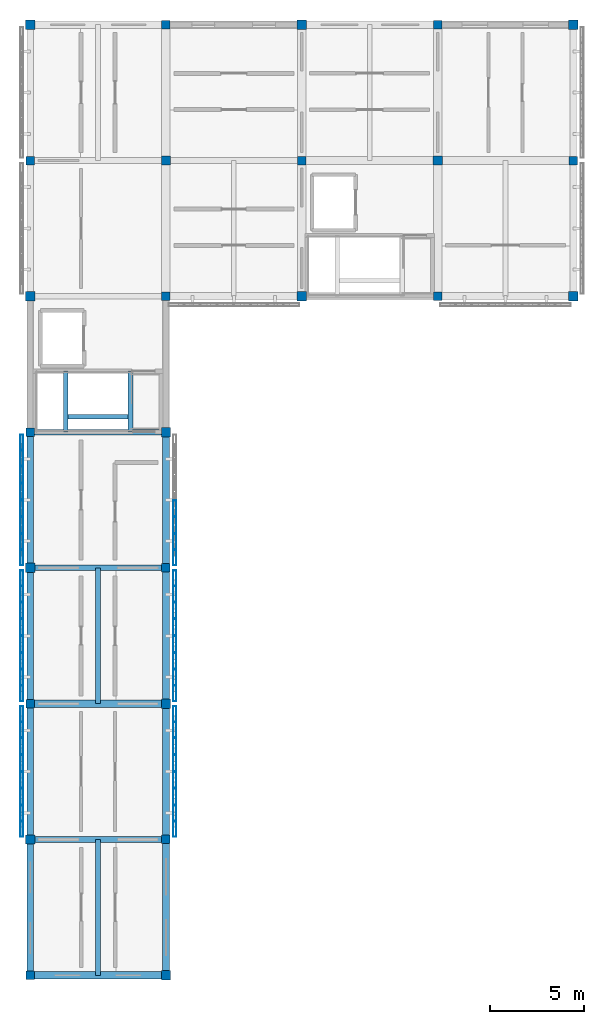
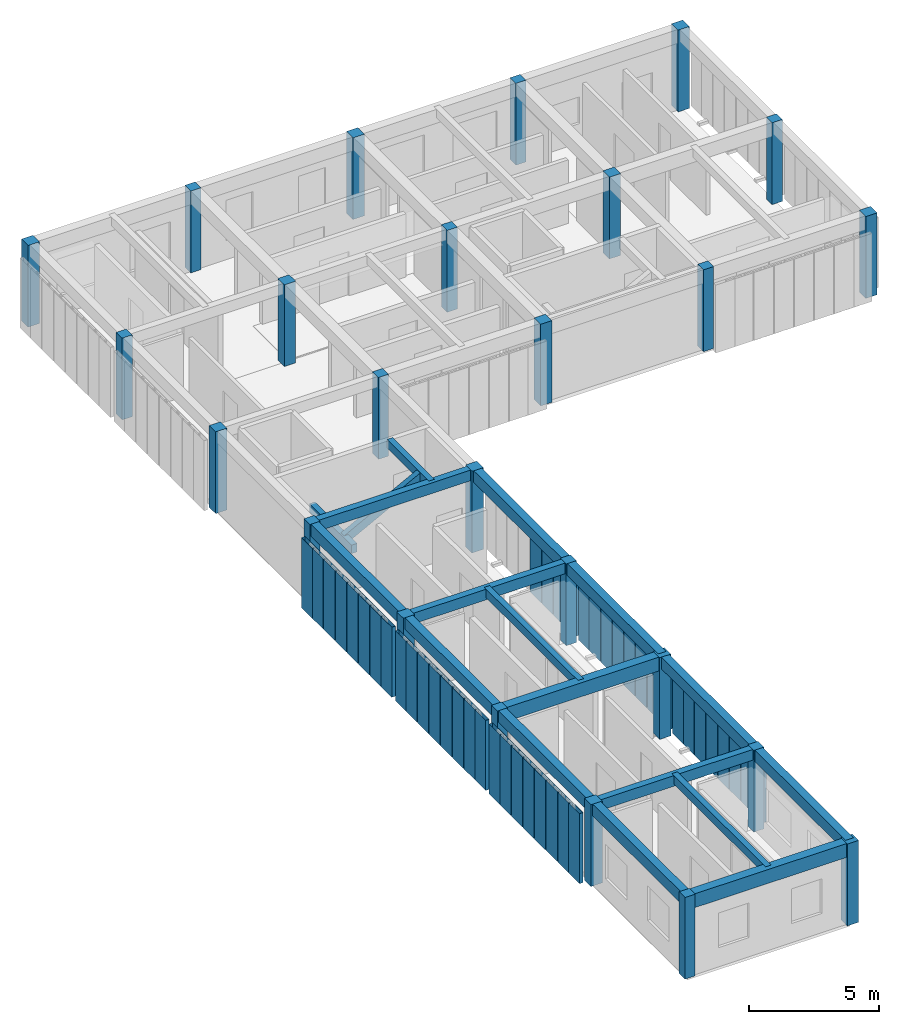
# One storey, part 1 of 14: 44 members, 25 columns, 18 beams, 6 elements without a shape of their own.
"""IFC4 building model written with IfcOpenShell, lengths in metres."""

from ifc_helpers import new_model, si_unit, direction, frame, origin, origin_2d, place, context, subcontext, project, spatial, rectangle, hollow_rectangle, extrude, material, material_profile, profile_set, type_object, element, aggregate, save


model = new_model("IFC4")

# Units and contexts
model_context = context("Model", 3, precision=1e-05, world=origin(), true_north=direction((0.0, 1.0)))
body_context = subcontext(model_context, "Body", "Model", "MODEL_VIEW")
ifc_project = project(units=[si_unit("LENGTHUNIT", "METRE"), si_unit("AREAUNIT", "SQUARE_METRE"), si_unit("VOLUMEUNIT", "CUBIC_METRE"), si_unit("PLANEANGLEUNIT", "RADIAN"), si_unit("MASSUNIT", "GRAM", prefix="KILO")], contexts=[model_context])

# Site, building, storey
site_placement = place(None, origin())
site = spatial("IfcSite", under=ifc_project, at=site_placement, CompositionType="ELEMENT")
building_placement = place(site_placement, origin())
building = spatial("IfcBuilding", under=site, at=building_placement, Name="Aldebral Square Health Centre", CompositionType="ELEMENT")
storey_placement = place(building_placement, frame((0.0, 0.0, 21.60009765625)))
storey = spatial("IfcBuildingStorey", under=building, at=storey_placement, Name="L05", CompositionType="ELEMENT", Elevation=21.60009765625)

# Columns
ifc_material_1 = material(Name="Concrete C40/50", Category="concrete")
ifc_material_profile_1 = material_profile(ifc_material_1, rectangle(XDim=0.5, YDim=0.5, at=origin_2d()), Name="RC 500x500")
ifc_profile_set_1 = profile_set([ifc_material_profile_1], Name="Concrete C40/50")
column_type_1 = type_object("IfcColumnType", Name="COL-C5", PredefinedType="COLUMN", material=ifc_profile_set_1)
for number, where, z_axis, x_axis, name in (
    (1, (0.0, 72.0, 0.0), (0.0, 0.0, 1.0), (1.0, 0.0, 0.0), "L05 column 1/11"),
    (2, (0.0, 86.39990234375, 0.0), (0.0, 0.0, 1.0), (1.0, 0.0, 0.0), "L05 column 1/13"),
    (3, (0.0, 100.800048828125, 0.0), (0.0, 0.0, 1.0), (1.0, 0.0, 0.0), "L05 column 1/15"),
    (4, (0.0, 115.199951171875, 0.0), (0.0, 0.0, 1.0), (1.0, 0.0, 0.0), "L05 column 1/17"),
    (5, (7.199951171875, 64.800048828125, 0.0), (0.0, 0.0, 1.0), (1.0, 0.0, 0.0), "L05 column 2/10"),
    (6, (7.199951171875, 79.199951171875, 0.0), (0.0, 0.0, 1.0), (1.0, 0.0, 0.0), "L05 column 2/12"),
    (7, (7.199951171875, 93.60009765625, 0.0), (0.0, 0.0, 1.0), (1.0, 0.0, 0.0), "L05 column 2/14"),
    (8, (7.199951171875, 108.0, 0.0), (0.0, 0.0, 1.0), (1.0, 0.0, 0.0), "L05 column 2/16"),
    (9, (14.39990234375, 100.800048828125, 0.0), (0.0, 0.0, 1.0), (1.0, 0.0, 0.0), "L05 column 3/15"),
    (10, (14.39990234375, 115.199951171875, 0.0), (0.0, 0.0, 1.0), (1.0, 0.0, 0.0), "L05 column 3/17"),
    (11, (21.60009765625, 108.0, 0.0), (0.0, 0.0, 1.0), (1.0, 0.0, 0.0), "L05 column 4/16"),
    (12, (28.800048828125, 100.800048828125, 0.0), (0.0, 0.0, 1.0), (1.0, 0.0, 0.0), "L05 column 5/15"),
    (13, (28.800048828125, 115.199951171875, 0.0), (0.0, 0.0, 1.0), (1.0, 0.0, 0.0), "L05 column 5/17"),
):
    element("IfcColumn", number, at=place(storey_placement, frame(where, z_axis=z_axis, x_axis=x_axis)), inside=storey, type_object=column_type_1, Name=name, PredefinedType="COLUMN", context=body_context, shape_type="SweptSolid", body=[
        extrude(rectangle(XDim=0.5, YDim=0.5, at=origin_2d()), origin(), (0.0, 0.0, 1.0), 3.829833984375),
    ])
ifc_material_profile_2 = material_profile(ifc_material_1, rectangle(XDim=0.449951171875, YDim=0.449951171875, at=origin_2d()), Name="RC 450x450")
ifc_profile_set_2 = profile_set([ifc_material_profile_2], Name="Concrete C40/50")
column_type_2 = type_object("IfcColumnType", Name="COL-C6", PredefinedType="COLUMN", material=ifc_profile_set_2)
for number, where, z_axis, x_axis, name in (
    (14, (0.0, 64.800048828125, 0.0), (0.0, 0.0, 1.0), (1.0, 0.0, 0.0), "L05 column 1/10"),
    (15, (0.0, 79.199951171875, 0.0), (0.0, 0.0, 1.0), (1.0, 0.0, 0.0), "L05 column 1/12"),
    (16, (0.0, 93.60009765625, 0.0), (0.0, 0.0, 1.0), (1.0, 0.0, 0.0), "L05 column 1/14"),
    (17, (0.0, 108.0, 0.0), (0.0, 0.0, 1.0), (1.0, 0.0, 0.0), "L05 column 1/16"),
    (18, (7.199951171875, 72.0, 0.0), (0.0, 0.0, 1.0), (1.0, 0.0, 0.0), "L05 column 2/11"),
    (19, (7.199951171875, 86.39990234375, 0.0), (0.0, 0.0, 1.0), (1.0, 0.0, 0.0), "L05 column 2/13"),
    (20, (7.199951171875, 100.800048828125, 0.0), (0.0, 0.0, 1.0), (1.0, 0.0, 0.0), "L05 column 2/15"),
    (21, (7.199951171875, 115.199951171875, 0.0), (0.0, 0.0, 1.0), (1.0, 0.0, 0.0), "L05 column 2/17"),
    (22, (14.39990234375, 108.0, 0.0), (0.0, 0.0, 1.0), (1.0, 0.0, 0.0), "L05 column 3/16"),
    (23, (21.60009765625, 100.800048828125, 0.0), (0.0, 0.0, 1.0), (1.0, 0.0, 0.0), "L05 column 4/15"),
    (24, (21.60009765625, 115.199951171875, 0.0), (0.0, 0.0, 1.0), (1.0, 0.0, 0.0), "L05 column 4/17"),
    (25, (28.800048828125, 108.0, 0.0), (0.0, 0.0, 1.0), (1.0, 0.0, 0.0), "L05 column 5/16"),
):
    element("IfcColumn", number, at=place(storey_placement, frame(where, z_axis=z_axis, x_axis=x_axis)), inside=storey, type_object=column_type_2, Name=name, PredefinedType="COLUMN", context=body_context, shape_type="SweptSolid", body=[
        extrude(rectangle(XDim=0.449951171875, YDim=0.449951171875, at=origin_2d()), origin(), (0.0, 0.0, 1.0), 3.829833984375),
    ])

# Beams
ifc_material_profile_3 = material_profile(ifc_material_1, rectangle(XDim=0.39990234375, YDim=0.64990234375, at=origin_2d()), Name="RC 400x650")
ifc_profile_set_3 = profile_set([ifc_material_profile_3], Name="Concrete C40/50")
beam_type_1 = type_object("IfcBeamType", Name="BM-B1", PredefinedType="BEAM", material=ifc_profile_set_3)
for number, where, z_axis, x_axis, name in (
    (26, (0.0, 64.800048828125, 3.5048828125), (1.0, 0.0, 0.0), (0.0, 1.0, 0.0), "L05 X-beam 1-2/G10"),
    (27, (0.0, 79.199951171875, 3.5048828125), (1.0, 0.0, 0.0), (0.0, 1.0, 0.0), "L05 X-beam 1-2/G12"),
):
    element("IfcBeam", number, at=place(storey_placement, frame(where, z_axis=z_axis, x_axis=x_axis)), inside=storey, type_object=beam_type_1, Name=name, PredefinedType="BEAM", context=body_context, shape_type="SweptSolid", body=[
        extrude(rectangle(XDim=0.39990234375, YDim=0.64990234375, at=origin_2d()), origin(), (0.0, 0.0, 1.0), 7.199951171875),
    ])
ifc_material_profile_4 = material_profile(ifc_material_1, rectangle(XDim=0.35009765625, YDim=0.550048828125, at=origin_2d()), Name="RC 350x550")
ifc_profile_set_4 = profile_set([ifc_material_profile_4], Name="Concrete C40/50")
beam_type_2 = type_object("IfcBeamType", Name="BM-B3", PredefinedType="BEAM", material=ifc_profile_set_4)
for number, where, z_axis, x_axis, name in (
    (28, (0.0, 64.800048828125, 3.554931640625), (0.0, 1.0, 0.0), (-1.0, 0.0, 0.0), "L05 Y-beam G1/10-11"),
    (29, (0.0, 72.0, 3.554931640625), (0.0, 1.0, 0.0), (-1.0, 0.0, 0.0), "L05 Y-beam G1/11-12"),
    (30, (0.0, 79.199951171875, 3.554931640625), (0.0, 1.0, 0.0), (-1.0, 0.0, 0.0), "L05 Y-beam G1/12-13"),
):
    element("IfcBeam", number, at=place(storey_placement, frame(where, z_axis=z_axis, x_axis=x_axis)), inside=storey, type_object=beam_type_2, Name=name, PredefinedType="BEAM", context=body_context, shape_type="SweptSolid", body=[
        extrude(rectangle(XDim=0.35009765625, YDim=0.550048828125, at=origin_2d()), origin(), (0.0, 0.0, 1.0), 7.199951171875),
    ])
beam_1_placement = place(storey_placement, frame((0.0, 86.39990234375, 3.554931640625), z_axis=(0.0, 1.0, 0.0), x_axis=(-1.0, 0.0, 0.0)))
element("IfcBeam", 31, at=beam_1_placement, inside=storey, type_object=beam_type_2, Name="L05 Y-beam G1/13-14", PredefinedType="BEAM", context=body_context, shape_type="SweptSolid", body=[
    extrude(rectangle(XDim=0.35009765625, YDim=0.550048828125, at=origin_2d()), origin(), (0.0, 0.0, 1.0), 7.2001953125),
])
for number, where, z_axis, x_axis, name in (
    (32, (7.199951171875, 64.800048828125, 3.554931640625), (0.0, 1.0, 0.0), (-1.0, 0.0, 0.0), "L05 Y-beam G2/10-11"),
    (33, (7.199951171875, 72.0, 3.554931640625), (0.0, 1.0, 0.0), (-1.0, 0.0, 0.0), "L05 Y-beam G2/11-12"),
    (34, (7.199951171875, 79.199951171875, 3.554931640625), (0.0, 1.0, 0.0), (-1.0, 0.0, 0.0), "L05 Y-beam G2/12-13"),
):
    element("IfcBeam", number, at=place(storey_placement, frame(where, z_axis=z_axis, x_axis=x_axis)), inside=storey, type_object=beam_type_2, Name=name, PredefinedType="BEAM", context=body_context, shape_type="SweptSolid", body=[
        extrude(rectangle(XDim=0.35009765625, YDim=0.550048828125, at=origin_2d()), origin(), (0.0, 0.0, 1.0), 7.199951171875),
    ])
beam_2_placement = place(storey_placement, frame((7.199951171875, 86.39990234375, 3.554931640625), z_axis=(0.0, 1.0, 0.0), x_axis=(-1.0, 0.0, 0.0)))
element("IfcBeam", 35, at=beam_2_placement, inside=storey, type_object=beam_type_2, Name="L05 Y-beam G2/13-14", PredefinedType="BEAM", context=body_context, shape_type="SweptSolid", body=[
    extrude(rectangle(XDim=0.35009765625, YDim=0.550048828125, at=origin_2d()), origin(), (0.0, 0.0, 1.0), 7.2001953125),
])
ifc_material_profile_5 = material_profile(ifc_material_1, rectangle(XDim=0.300048828125, YDim=0.5, at=origin_2d()), Name="RC 300x500")
ifc_profile_set_5 = profile_set([ifc_material_profile_5], Name="Concrete C40/50")
beam_type_3 = type_object("IfcBeamType", Name="BM-B4", PredefinedType="BEAM", material=ifc_profile_set_5)
for number, where, z_axis, x_axis, name in (
    (36, (0.0, 72.0, 3.579833984375), (1.0, 0.0, 0.0), (0.0, 1.0, 0.0), "L05 X-beam 1-2/G11"),
    (37, (0.0, 86.39990234375, 3.579833984375), (1.0, 0.0, 0.0), (0.0, 1.0, 0.0), "L05 X-beam 1-2/G13"),
    (38, (0.0, 93.60009765625, 3.579833984375), (1.0, 0.0, 0.0), (0.0, 1.0, 0.0), "L05 X-beam 1-2/G14"),
):
    element("IfcBeam", number, at=place(storey_placement, frame(where, z_axis=z_axis, x_axis=x_axis)), inside=storey, type_object=beam_type_3, Name=name, PredefinedType="BEAM", context=body_context, shape_type="SweptSolid", body=[
        extrude(rectangle(XDim=0.300048828125, YDim=0.5, at=origin_2d()), origin(), (0.0, 0.0, 1.0), 7.199951171875),
    ])
ifc_material_profile_6 = material_profile(ifc_material_1, rectangle(XDim=0.25, YDim=0.39990234375, at=origin_2d()), Name="RC 250x400")
ifc_profile_set_6 = profile_set([ifc_material_profile_6], Name="Concrete C40/50")
beam_type_4 = type_object("IfcBeamType", Name="BM-B6", PredefinedType="JOIST", material=ifc_profile_set_6)
for number, where, z_axis, x_axis, name in (
    (39, (3.60009765625, 64.800048828125, 3.6298828125), (0.0, 1.0, 0.0), (-1.0, 0.0, 0.0), "L05 secondary rib 1.10"),
    (40, (3.60009765625, 79.199951171875, 3.6298828125), (0.0, 1.0, 0.0), (-1.0, 0.0, 0.0), "L05 secondary rib 1.12"),
):
    element("IfcBeam", number, at=place(storey_placement, frame(where, z_axis=z_axis, x_axis=x_axis)), inside=storey, type_object=beam_type_4, Name=name, PredefinedType="JOIST", context=body_context, shape_type="SweptSolid", body=[
        extrude(rectangle(XDim=0.25, YDim=0.39990234375, at=origin_2d()), origin(), (0.0, 0.0, 1.0), 7.199951171875),
    ])
for number, where, z_axis, x_axis, name in (
    (41, (1.8798828125, 93.610107421875, 1.824951171875), (0.0, 1.0, 0.0), (-1.0, 0.0, 0.0), "L05 WC-C1 half-landing beam"),
    (42, (5.320068359375, 93.610107421875, 3.6298828125), (0.0, 1.0, 0.0), (-1.0, 0.0, 0.0), "L05 WC-C1 upper landing beam"),
):
    element("IfcBeam", number, at=place(storey_placement, frame(where, z_axis=z_axis, x_axis=x_axis)), inside=storey, type_object=beam_type_4, Name=name, PredefinedType="JOIST", context=body_context, shape_type="SweptSolid", body=[
        extrude(rectangle(XDim=0.25, YDim=0.39990234375, at=origin_2d()), origin(), (0.0, 0.0, 1.0), 3.219970703125),
    ])
beam_3_placement = place(storey_placement, frame((1.8798828125, 94.419921875, 1.824951171875), z_axis=(0.885521371569, 0.0, 0.464598644525), x_axis=(0.0, 1.0, 0.0)))
element("IfcBeam", 43, at=beam_3_placement, inside=storey, type_object=beam_type_4, Name="L05 WC-C1 flight stringer beam", PredefinedType="JOIST", context=body_context, shape_type="SweptSolid", body=[
    extrude(rectangle(XDim=0.25, YDim=0.39990234375, at=origin_2d()), origin(), (0.0, 0.0, 1.0), 3.885009765625),
])

# Curtain wall, members
ifc_material_2 = material(Name="Aluminium and low-E solar glass", Category="aluminium")
curtain_wall_type = type_object("IfcCurtainWallType", Name="CW-FIN-SYS", PredefinedType="USERDEFINED", material=ifc_material_2)
curtain_wall_1_placement = place(storey_placement, origin())
curtain_wall_1 = element("IfcCurtainWall", 44, at=curtain_wall_1_placement, inside=storey, type_object=curtain_wall_type, Name="L05 V4 finned curtain wall L05-V4-00-10-W", ObjectType="SOLAR_CURTAIN_WALL", PredefinedType="USERDEFINED")
ifc_material_3 = material(Name="Sienna-terracotta clad aluminium fin", Category="masonry")
ifc_material_profile_7 = material_profile(ifc_material_3, hollow_rectangle(XDim=0.159912109375, YDim=0.85009765625, WallThickness=0.006103515625, at=origin_2d()), Name="FIN 160x850x6")
ifc_profile_set_7 = profile_set([ifc_material_profile_7], Name="Sienna-terracotta clad aluminium fin")
member_type = type_object("IfcMemberType", Name="CWM-FIN", PredefinedType="MULLION", material=ifc_profile_set_7)
member_1_placement = place(storey_placement, frame((-0.4599609375, 78.639892578125, 0.0), z_axis=(0.0, 0.0, 1.0), x_axis=(1.0, 0.0, 0.0)))
member_1 = element("IfcMember", 45, at=member_1_placement, type_object=member_type, Name="CW1 mullion 1", PredefinedType="MULLION", context=body_context, shape_type="SweptSolid", body=[
    extrude(hollow_rectangle(XDim=0.159912109375, YDim=0.85009765625, WallThickness=0.006103515625, at=origin_2d()), origin(), (0.0, 0.0, 1.0), 3.27978515625),
])
member_2_placement = place(storey_placement, frame((-0.4599609375, 77.82861328125, 0.0), z_axis=(0.0, 0.0, 1.0), x_axis=(1.0, 0.0, 0.0)))
member_2 = element("IfcMember", 46, at=member_2_placement, type_object=member_type, Name="CW1 mullion 2", PredefinedType="MULLION", context=body_context, shape_type="SweptSolid", body=[
    extrude(hollow_rectangle(XDim=0.159912109375, YDim=0.85009765625, WallThickness=0.006103515625, at=origin_2d()), origin(), (0.0, 0.0, 1.0), 3.27978515625),
])
member_3_placement = place(storey_placement, frame((-0.4599609375, 76.937255859375, 0.0), z_axis=(0.0, 0.0, 1.0), x_axis=(1.0, 0.0, 0.0)))
member_3 = element("IfcMember", 47, at=member_3_placement, type_object=member_type, Name="CW1 mullion 3", PredefinedType="MULLION", context=body_context, shape_type="SweptSolid", body=[
    extrude(hollow_rectangle(XDim=0.159912109375, YDim=0.85009765625, WallThickness=0.006103515625, at=origin_2d()), origin(), (0.0, 0.0, 1.0), 3.27978515625),
])
member_4_placement = place(storey_placement, frame((-0.4599609375, 76.045654296875, 0.0), z_axis=(0.0, 0.0, 1.0), x_axis=(1.0, 0.0, 0.0)))
member_4 = element("IfcMember", 48, at=member_4_placement, type_object=member_type, Name="CW1 mullion 4", PredefinedType="MULLION", context=body_context, shape_type="SweptSolid", body=[
    extrude(hollow_rectangle(XDim=0.159912109375, YDim=0.85009765625, WallThickness=0.006103515625, at=origin_2d()), origin(), (0.0, 0.0, 1.0), 3.27978515625),
])
member_5_placement = place(storey_placement, frame((-0.4599609375, 75.154296875, 0.0), z_axis=(0.0, 0.0, 1.0), x_axis=(1.0, 0.0, 0.0)))
member_5 = element("IfcMember", 49, at=member_5_placement, type_object=member_type, Name="CW1 mullion 5", PredefinedType="MULLION", context=body_context, shape_type="SweptSolid", body=[
    extrude(hollow_rectangle(XDim=0.159912109375, YDim=0.85009765625, WallThickness=0.006103515625, at=origin_2d()), origin(), (0.0, 0.0, 1.0), 3.27978515625),
])
member_6_placement = place(storey_placement, frame((-0.4599609375, 74.262939453125, 0.0), z_axis=(0.0, 0.0, 1.0), x_axis=(1.0, 0.0, 0.0)))
member_6 = element("IfcMember", 50, at=member_6_placement, type_object=member_type, Name="CW1 mullion 6", PredefinedType="MULLION", context=body_context, shape_type="SweptSolid", body=[
    extrude(hollow_rectangle(XDim=0.159912109375, YDim=0.85009765625, WallThickness=0.006103515625, at=origin_2d()), origin(), (0.0, 0.0, 1.0), 3.27978515625),
])
member_7_placement = place(storey_placement, frame((-0.4599609375, 73.371337890625, 0.0), z_axis=(0.0, 0.0, 1.0), x_axis=(1.0, 0.0, 0.0)))
member_7 = element("IfcMember", 51, at=member_7_placement, type_object=member_type, Name="CW1 mullion 7", PredefinedType="MULLION", context=body_context, shape_type="SweptSolid", body=[
    extrude(hollow_rectangle(XDim=0.159912109375, YDim=0.85009765625, WallThickness=0.006103515625, at=origin_2d()), origin(), (0.0, 0.0, 1.0), 3.27978515625),
])
member_8_placement = place(storey_placement, frame((-0.4599609375, 72.56005859375, 0.0), z_axis=(0.0, 0.0, 1.0), x_axis=(1.0, 0.0, 0.0)))
member_8 = element("IfcMember", 52, at=member_8_placement, type_object=member_type, Name="CW1 mullion 8", PredefinedType="MULLION", context=body_context, shape_type="SweptSolid", body=[
    extrude(hollow_rectangle(XDim=0.159912109375, YDim=0.85009765625, WallThickness=0.006103515625, at=origin_2d()), origin(), (0.0, 0.0, 1.0), 3.27978515625),
])
aggregate(curtain_wall_1, [member_1, member_2, member_3, member_4, member_5, member_6, member_7, member_8])

curtain_wall_2_placement = place(storey_placement, origin())
curtain_wall_2 = element("IfcCurtainWall", 53, at=curtain_wall_2_placement, inside=storey, type_object=curtain_wall_type, Name="L05 V4 finned curtain wall L05-V4-00-10-E", ObjectType="SOLAR_CURTAIN_WALL", PredefinedType="USERDEFINED")
member_9_placement = place(storey_placement, frame((7.659912109375, 72.56005859375, 0.0), z_axis=(0.0, 0.0, 1.0), x_axis=(-1.0, 0.0, 0.0)))
member_9 = element("IfcMember", 54, at=member_9_placement, type_object=member_type, Name="CW1 mullion 1", PredefinedType="MULLION", context=body_context, shape_type="SweptSolid", body=[
    extrude(hollow_rectangle(XDim=0.159912109375, YDim=0.85009765625, WallThickness=0.006103515625, at=origin_2d()), origin(), (0.0, 0.0, 1.0), 3.27978515625),
])
member_10_placement = place(storey_placement, frame((7.659912109375, 73.371337890625, 0.0), z_axis=(0.0, 0.0, 1.0), x_axis=(-1.0, 0.0, 0.0)))
member_10 = element("IfcMember", 55, at=member_10_placement, type_object=member_type, Name="CW1 mullion 2", PredefinedType="MULLION", context=body_context, shape_type="SweptSolid", body=[
    extrude(hollow_rectangle(XDim=0.159912109375, YDim=0.85009765625, WallThickness=0.006103515625, at=origin_2d()), origin(), (0.0, 0.0, 1.0), 3.27978515625),
])
member_11_placement = place(storey_placement, frame((7.659912109375, 74.262939453125, 0.0), z_axis=(0.0, 0.0, 1.0), x_axis=(-1.0, 0.0, 0.0)))
member_11 = element("IfcMember", 56, at=member_11_placement, type_object=member_type, Name="CW1 mullion 3", PredefinedType="MULLION", context=body_context, shape_type="SweptSolid", body=[
    extrude(hollow_rectangle(XDim=0.159912109375, YDim=0.85009765625, WallThickness=0.006103515625, at=origin_2d()), origin(), (0.0, 0.0, 1.0), 3.27978515625),
])
member_12_placement = place(storey_placement, frame((7.659912109375, 75.154296875, 0.0), z_axis=(0.0, 0.0, 1.0), x_axis=(-1.0, 0.0, 0.0)))
member_12 = element("IfcMember", 57, at=member_12_placement, type_object=member_type, Name="CW1 mullion 4", PredefinedType="MULLION", context=body_context, shape_type="SweptSolid", body=[
    extrude(hollow_rectangle(XDim=0.159912109375, YDim=0.85009765625, WallThickness=0.006103515625, at=origin_2d()), origin(), (0.0, 0.0, 1.0), 3.27978515625),
])
member_13_placement = place(storey_placement, frame((7.659912109375, 76.045654296875, 0.0), z_axis=(0.0, 0.0, 1.0), x_axis=(-1.0, 0.0, 0.0)))
member_13 = element("IfcMember", 58, at=member_13_placement, type_object=member_type, Name="CW1 mullion 5", PredefinedType="MULLION", context=body_context, shape_type="SweptSolid", body=[
    extrude(hollow_rectangle(XDim=0.159912109375, YDim=0.85009765625, WallThickness=0.006103515625, at=origin_2d()), origin(), (0.0, 0.0, 1.0), 3.27978515625),
])
member_14_placement = place(storey_placement, frame((7.659912109375, 76.937255859375, 0.0), z_axis=(0.0, 0.0, 1.0), x_axis=(-1.0, 0.0, 0.0)))
member_14 = element("IfcMember", 59, at=member_14_placement, type_object=member_type, Name="CW1 mullion 6", PredefinedType="MULLION", context=body_context, shape_type="SweptSolid", body=[
    extrude(hollow_rectangle(XDim=0.159912109375, YDim=0.85009765625, WallThickness=0.006103515625, at=origin_2d()), origin(), (0.0, 0.0, 1.0), 3.27978515625),
])
member_15_placement = place(storey_placement, frame((7.659912109375, 77.82861328125, 0.0), z_axis=(0.0, 0.0, 1.0), x_axis=(-1.0, 0.0, 0.0)))
member_15 = element("IfcMember", 60, at=member_15_placement, type_object=member_type, Name="CW1 mullion 7", PredefinedType="MULLION", context=body_context, shape_type="SweptSolid", body=[
    extrude(hollow_rectangle(XDim=0.159912109375, YDim=0.85009765625, WallThickness=0.006103515625, at=origin_2d()), origin(), (0.0, 0.0, 1.0), 3.27978515625),
])
member_16_placement = place(storey_placement, frame((7.659912109375, 78.639892578125, 0.0), z_axis=(0.0, 0.0, 1.0), x_axis=(-1.0, 0.0, 0.0)))
member_16 = element("IfcMember", 61, at=member_16_placement, type_object=member_type, Name="CW1 mullion 8", PredefinedType="MULLION", context=body_context, shape_type="SweptSolid", body=[
    extrude(hollow_rectangle(XDim=0.159912109375, YDim=0.85009765625, WallThickness=0.006103515625, at=origin_2d()), origin(), (0.0, 0.0, 1.0), 3.27978515625),
])
aggregate(curtain_wall_2, [member_9, member_10, member_11, member_12, member_13, member_14, member_15, member_16])

curtain_wall_3_placement = place(storey_placement, origin())
curtain_wall_3 = element("IfcCurtainWall", 62, at=curtain_wall_3_placement, inside=storey, type_object=curtain_wall_type, Name="L05 V4 finned curtain wall L05-V4-00-11-W", ObjectType="SOLAR_CURTAIN_WALL", PredefinedType="USERDEFINED")
member_17_placement = place(storey_placement, frame((-0.4599609375, 85.840087890625, 0.0), z_axis=(0.0, 0.0, 1.0), x_axis=(1.0, 0.0, 0.0)))
member_17 = element("IfcMember", 63, at=member_17_placement, type_object=member_type, Name="CW1 mullion 1", PredefinedType="MULLION", context=body_context, shape_type="SweptSolid", body=[
    extrude(hollow_rectangle(XDim=0.159912109375, YDim=0.85009765625, WallThickness=0.006103515625, at=origin_2d()), origin(), (0.0, 0.0, 1.0), 3.27978515625),
])
member_18_placement = place(storey_placement, frame((-0.4599609375, 85.028564453125, 0.0), z_axis=(0.0, 0.0, 1.0), x_axis=(1.0, 0.0, 0.0)))
member_18 = element("IfcMember", 64, at=member_18_placement, type_object=member_type, Name="CW1 mullion 2", PredefinedType="MULLION", context=body_context, shape_type="SweptSolid", body=[
    extrude(hollow_rectangle(XDim=0.159912109375, YDim=0.85009765625, WallThickness=0.006103515625, at=origin_2d()), origin(), (0.0, 0.0, 1.0), 3.27978515625),
])
member_19_placement = place(storey_placement, frame((-0.4599609375, 84.13720703125, 0.0), z_axis=(0.0, 0.0, 1.0), x_axis=(1.0, 0.0, 0.0)))
member_19 = element("IfcMember", 65, at=member_19_placement, type_object=member_type, Name="CW1 mullion 3", PredefinedType="MULLION", context=body_context, shape_type="SweptSolid", body=[
    extrude(hollow_rectangle(XDim=0.159912109375, YDim=0.85009765625, WallThickness=0.006103515625, at=origin_2d()), origin(), (0.0, 0.0, 1.0), 3.27978515625),
])
member_20_placement = place(storey_placement, frame((-0.4599609375, 83.24560546875, 0.0), z_axis=(0.0, 0.0, 1.0), x_axis=(1.0, 0.0, 0.0)))
member_20 = element("IfcMember", 66, at=member_20_placement, type_object=member_type, Name="CW1 mullion 4", PredefinedType="MULLION", context=body_context, shape_type="SweptSolid", body=[
    extrude(hollow_rectangle(XDim=0.159912109375, YDim=0.85009765625, WallThickness=0.006103515625, at=origin_2d()), origin(), (0.0, 0.0, 1.0), 3.27978515625),
])
member_21_placement = place(storey_placement, frame((-0.4599609375, 82.354248046875, 0.0), z_axis=(0.0, 0.0, 1.0), x_axis=(1.0, 0.0, 0.0)))
member_21 = element("IfcMember", 67, at=member_21_placement, type_object=member_type, Name="CW1 mullion 5", PredefinedType="MULLION", context=body_context, shape_type="SweptSolid", body=[
    extrude(hollow_rectangle(XDim=0.159912109375, YDim=0.85009765625, WallThickness=0.006103515625, at=origin_2d()), origin(), (0.0, 0.0, 1.0), 3.27978515625),
])
member_22_placement = place(storey_placement, frame((-0.4599609375, 81.462890625, 0.0), z_axis=(0.0, 0.0, 1.0), x_axis=(1.0, 0.0, 0.0)))
member_22 = element("IfcMember", 68, at=member_22_placement, type_object=member_type, Name="CW1 mullion 6", PredefinedType="MULLION", context=body_context, shape_type="SweptSolid", body=[
    extrude(hollow_rectangle(XDim=0.159912109375, YDim=0.85009765625, WallThickness=0.006103515625, at=origin_2d()), origin(), (0.0, 0.0, 1.0), 3.27978515625),
])
member_23_placement = place(storey_placement, frame((-0.4599609375, 80.571533203125, 0.0), z_axis=(0.0, 0.0, 1.0), x_axis=(1.0, 0.0, 0.0)))
member_23 = element("IfcMember", 69, at=member_23_placement, type_object=member_type, Name="CW1 mullion 7", PredefinedType="MULLION", context=body_context, shape_type="SweptSolid", body=[
    extrude(hollow_rectangle(XDim=0.159912109375, YDim=0.85009765625, WallThickness=0.006103515625, at=origin_2d()), origin(), (0.0, 0.0, 1.0), 3.27978515625),
])
member_24_placement = place(storey_placement, frame((-0.4599609375, 79.760009765625, 0.0), z_axis=(0.0, 0.0, 1.0), x_axis=(1.0, 0.0, 0.0)))
member_24 = element("IfcMember", 70, at=member_24_placement, type_object=member_type, Name="CW1 mullion 8", PredefinedType="MULLION", context=body_context, shape_type="SweptSolid", body=[
    extrude(hollow_rectangle(XDim=0.159912109375, YDim=0.85009765625, WallThickness=0.006103515625, at=origin_2d()), origin(), (0.0, 0.0, 1.0), 3.27978515625),
])
aggregate(curtain_wall_3, [member_17, member_18, member_19, member_20, member_21, member_22, member_23, member_24])

curtain_wall_4_placement = place(storey_placement, origin())
curtain_wall_4 = element("IfcCurtainWall", 71, at=curtain_wall_4_placement, inside=storey, type_object=curtain_wall_type, Name="L05 V4 finned curtain wall L05-V4-00-11-E", ObjectType="SOLAR_CURTAIN_WALL", PredefinedType="USERDEFINED")
member_25_placement = place(storey_placement, frame((7.659912109375, 79.760009765625, 0.0), z_axis=(0.0, 0.0, 1.0), x_axis=(-1.0, 0.0, 0.0)))
member_25 = element("IfcMember", 72, at=member_25_placement, type_object=member_type, Name="CW1 mullion 1", PredefinedType="MULLION", context=body_context, shape_type="SweptSolid", body=[
    extrude(hollow_rectangle(XDim=0.159912109375, YDim=0.85009765625, WallThickness=0.006103515625, at=origin_2d()), origin(), (0.0, 0.0, 1.0), 3.27978515625),
])
member_26_placement = place(storey_placement, frame((7.659912109375, 80.571533203125, 0.0), z_axis=(0.0, 0.0, 1.0), x_axis=(-1.0, 0.0, 0.0)))
member_26 = element("IfcMember", 73, at=member_26_placement, type_object=member_type, Name="CW1 mullion 2", PredefinedType="MULLION", context=body_context, shape_type="SweptSolid", body=[
    extrude(hollow_rectangle(XDim=0.159912109375, YDim=0.85009765625, WallThickness=0.006103515625, at=origin_2d()), origin(), (0.0, 0.0, 1.0), 3.27978515625),
])
member_27_placement = place(storey_placement, frame((7.659912109375, 81.462890625, 0.0), z_axis=(0.0, 0.0, 1.0), x_axis=(-1.0, 0.0, 0.0)))
member_27 = element("IfcMember", 74, at=member_27_placement, type_object=member_type, Name="CW1 mullion 3", PredefinedType="MULLION", context=body_context, shape_type="SweptSolid", body=[
    extrude(hollow_rectangle(XDim=0.159912109375, YDim=0.85009765625, WallThickness=0.006103515625, at=origin_2d()), origin(), (0.0, 0.0, 1.0), 3.27978515625),
])
member_28_placement = place(storey_placement, frame((7.659912109375, 82.354248046875, 0.0), z_axis=(0.0, 0.0, 1.0), x_axis=(-1.0, 0.0, 0.0)))
member_28 = element("IfcMember", 75, at=member_28_placement, type_object=member_type, Name="CW1 mullion 4", PredefinedType="MULLION", context=body_context, shape_type="SweptSolid", body=[
    extrude(hollow_rectangle(XDim=0.159912109375, YDim=0.85009765625, WallThickness=0.006103515625, at=origin_2d()), origin(), (0.0, 0.0, 1.0), 3.27978515625),
])
member_29_placement = place(storey_placement, frame((7.659912109375, 83.24560546875, 0.0), z_axis=(0.0, 0.0, 1.0), x_axis=(-1.0, 0.0, 0.0)))
member_29 = element("IfcMember", 76, at=member_29_placement, type_object=member_type, Name="CW1 mullion 5", PredefinedType="MULLION", context=body_context, shape_type="SweptSolid", body=[
    extrude(hollow_rectangle(XDim=0.159912109375, YDim=0.85009765625, WallThickness=0.006103515625, at=origin_2d()), origin(), (0.0, 0.0, 1.0), 3.27978515625),
])
member_30_placement = place(storey_placement, frame((7.659912109375, 84.13720703125, 0.0), z_axis=(0.0, 0.0, 1.0), x_axis=(-1.0, 0.0, 0.0)))
member_30 = element("IfcMember", 77, at=member_30_placement, type_object=member_type, Name="CW1 mullion 6", PredefinedType="MULLION", context=body_context, shape_type="SweptSolid", body=[
    extrude(hollow_rectangle(XDim=0.159912109375, YDim=0.85009765625, WallThickness=0.006103515625, at=origin_2d()), origin(), (0.0, 0.0, 1.0), 3.27978515625),
])
member_31_placement = place(storey_placement, frame((7.659912109375, 85.028564453125, 0.0), z_axis=(0.0, 0.0, 1.0), x_axis=(-1.0, 0.0, 0.0)))
member_31 = element("IfcMember", 78, at=member_31_placement, type_object=member_type, Name="CW1 mullion 7", PredefinedType="MULLION", context=body_context, shape_type="SweptSolid", body=[
    extrude(hollow_rectangle(XDim=0.159912109375, YDim=0.85009765625, WallThickness=0.006103515625, at=origin_2d()), origin(), (0.0, 0.0, 1.0), 3.27978515625),
])
member_32_placement = place(storey_placement, frame((7.659912109375, 85.840087890625, 0.0), z_axis=(0.0, 0.0, 1.0), x_axis=(-1.0, 0.0, 0.0)))
member_32 = element("IfcMember", 79, at=member_32_placement, type_object=member_type, Name="CW1 mullion 8", PredefinedType="MULLION", context=body_context, shape_type="SweptSolid", body=[
    extrude(hollow_rectangle(XDim=0.159912109375, YDim=0.85009765625, WallThickness=0.006103515625, at=origin_2d()), origin(), (0.0, 0.0, 1.0), 3.27978515625),
])
aggregate(curtain_wall_4, [member_25, member_26, member_27, member_28, member_29, member_30, member_31, member_32])

curtain_wall_5_placement = place(storey_placement, origin())
curtain_wall_5 = element("IfcCurtainWall", 80, at=curtain_wall_5_placement, inside=storey, type_object=curtain_wall_type, Name="L05 V4 finned curtain wall L05-V4-00-12-W", ObjectType="SOLAR_CURTAIN_WALL", PredefinedType="USERDEFINED")
member_33_placement = place(storey_placement, frame((-0.4599609375, 93.0400390625, 0.0), z_axis=(0.0, 0.0, 1.0), x_axis=(1.0, 0.0, 0.0)))
member_33 = element("IfcMember", 81, at=member_33_placement, type_object=member_type, Name="CW1 mullion 1", PredefinedType="MULLION", context=body_context, shape_type="SweptSolid", body=[
    extrude(hollow_rectangle(XDim=0.159912109375, YDim=0.85009765625, WallThickness=0.006103515625, at=origin_2d()), origin(), (0.0, 0.0, 1.0), 3.27978515625),
])
member_34_placement = place(storey_placement, frame((-0.4599609375, 92.228515625, 0.0), z_axis=(0.0, 0.0, 1.0), x_axis=(1.0, 0.0, 0.0)))
member_34 = element("IfcMember", 82, at=member_34_placement, type_object=member_type, Name="CW1 mullion 2", PredefinedType="MULLION", context=body_context, shape_type="SweptSolid", body=[
    extrude(hollow_rectangle(XDim=0.159912109375, YDim=0.85009765625, WallThickness=0.006103515625, at=origin_2d()), origin(), (0.0, 0.0, 1.0), 3.27978515625),
])
member_35_placement = place(storey_placement, frame((-0.4599609375, 91.337158203125, 0.0), z_axis=(0.0, 0.0, 1.0), x_axis=(1.0, 0.0, 0.0)))
member_35 = element("IfcMember", 83, at=member_35_placement, type_object=member_type, Name="CW1 mullion 3", PredefinedType="MULLION", context=body_context, shape_type="SweptSolid", body=[
    extrude(hollow_rectangle(XDim=0.159912109375, YDim=0.85009765625, WallThickness=0.006103515625, at=origin_2d()), origin(), (0.0, 0.0, 1.0), 3.27978515625),
])
member_36_placement = place(storey_placement, frame((-0.4599609375, 90.44580078125, 0.0), z_axis=(0.0, 0.0, 1.0), x_axis=(1.0, 0.0, 0.0)))
member_36 = element("IfcMember", 84, at=member_36_placement, type_object=member_type, Name="CW1 mullion 4", PredefinedType="MULLION", context=body_context, shape_type="SweptSolid", body=[
    extrude(hollow_rectangle(XDim=0.159912109375, YDim=0.85009765625, WallThickness=0.006103515625, at=origin_2d()), origin(), (0.0, 0.0, 1.0), 3.27978515625),
])
member_37_placement = place(storey_placement, frame((-0.4599609375, 89.55419921875, 0.0), z_axis=(0.0, 0.0, 1.0), x_axis=(1.0, 0.0, 0.0)))
member_37 = element("IfcMember", 85, at=member_37_placement, type_object=member_type, Name="CW1 mullion 5", PredefinedType="MULLION", context=body_context, shape_type="SweptSolid", body=[
    extrude(hollow_rectangle(XDim=0.159912109375, YDim=0.85009765625, WallThickness=0.006103515625, at=origin_2d()), origin(), (0.0, 0.0, 1.0), 3.27978515625),
])
member_38_placement = place(storey_placement, frame((-0.4599609375, 88.662841796875, 0.0), z_axis=(0.0, 0.0, 1.0), x_axis=(1.0, 0.0, 0.0)))
member_38 = element("IfcMember", 86, at=member_38_placement, type_object=member_type, Name="CW1 mullion 6", PredefinedType="MULLION", context=body_context, shape_type="SweptSolid", body=[
    extrude(hollow_rectangle(XDim=0.159912109375, YDim=0.85009765625, WallThickness=0.006103515625, at=origin_2d()), origin(), (0.0, 0.0, 1.0), 3.27978515625),
])
member_39_placement = place(storey_placement, frame((-0.4599609375, 87.771484375, 0.0), z_axis=(0.0, 0.0, 1.0), x_axis=(1.0, 0.0, 0.0)))
member_39 = element("IfcMember", 87, at=member_39_placement, type_object=member_type, Name="CW1 mullion 7", PredefinedType="MULLION", context=body_context, shape_type="SweptSolid", body=[
    extrude(hollow_rectangle(XDim=0.159912109375, YDim=0.85009765625, WallThickness=0.006103515625, at=origin_2d()), origin(), (0.0, 0.0, 1.0), 3.27978515625),
])
member_40_placement = place(storey_placement, frame((-0.4599609375, 86.9599609375, 0.0), z_axis=(0.0, 0.0, 1.0), x_axis=(1.0, 0.0, 0.0)))
member_40 = element("IfcMember", 88, at=member_40_placement, type_object=member_type, Name="CW1 mullion 8", PredefinedType="MULLION", context=body_context, shape_type="SweptSolid", body=[
    extrude(hollow_rectangle(XDim=0.159912109375, YDim=0.85009765625, WallThickness=0.006103515625, at=origin_2d()), origin(), (0.0, 0.0, 1.0), 3.27978515625),
])
aggregate(curtain_wall_5, [member_33, member_34, member_35, member_36, member_37, member_38, member_39, member_40])

curtain_wall_6_placement = place(storey_placement, origin())
curtain_wall_6 = element("IfcCurtainWall", 89, at=curtain_wall_6_placement, inside=storey, type_object=curtain_wall_type, Name="L05 V4 finned curtain wall L05-V4-00-12-E", ObjectType="SOLAR_CURTAIN_WALL", PredefinedType="USERDEFINED")
member_41_placement = place(storey_placement, frame((7.659912109375, 86.9599609375, 0.0), z_axis=(0.0, 0.0, 1.0), x_axis=(-1.0, 0.0, 0.0)))
member_41 = element("IfcMember", 90, at=member_41_placement, type_object=member_type, Name="CW1 mullion 1", PredefinedType="MULLION", context=body_context, shape_type="SweptSolid", body=[
    extrude(hollow_rectangle(XDim=0.159912109375, YDim=0.85009765625, WallThickness=0.006103515625, at=origin_2d()), origin(), (0.0, 0.0, 1.0), 3.27978515625),
])
member_42_placement = place(storey_placement, frame((7.659912109375, 87.771484375, 0.0), z_axis=(0.0, 0.0, 1.0), x_axis=(-1.0, 0.0, 0.0)))
member_42 = element("IfcMember", 91, at=member_42_placement, type_object=member_type, Name="CW1 mullion 2", PredefinedType="MULLION", context=body_context, shape_type="SweptSolid", body=[
    extrude(hollow_rectangle(XDim=0.159912109375, YDim=0.85009765625, WallThickness=0.006103515625, at=origin_2d()), origin(), (0.0, 0.0, 1.0), 3.27978515625),
])
member_43_placement = place(storey_placement, frame((7.659912109375, 88.662841796875, 0.0), z_axis=(0.0, 0.0, 1.0), x_axis=(-1.0, 0.0, 0.0)))
member_43 = element("IfcMember", 92, at=member_43_placement, type_object=member_type, Name="CW1 mullion 3", PredefinedType="MULLION", context=body_context, shape_type="SweptSolid", body=[
    extrude(hollow_rectangle(XDim=0.159912109375, YDim=0.85009765625, WallThickness=0.006103515625, at=origin_2d()), origin(), (0.0, 0.0, 1.0), 3.27978515625),
])
member_44_placement = place(storey_placement, frame((7.659912109375, 89.55419921875, 0.0), z_axis=(0.0, 0.0, 1.0), x_axis=(-1.0, 0.0, 0.0)))
member_44 = element("IfcMember", 93, at=member_44_placement, type_object=member_type, Name="CW1 mullion 4", PredefinedType="MULLION", context=body_context, shape_type="SweptSolid", body=[
    extrude(hollow_rectangle(XDim=0.159912109375, YDim=0.85009765625, WallThickness=0.006103515625, at=origin_2d()), origin(), (0.0, 0.0, 1.0), 3.27978515625),
])
aggregate(curtain_wall_6, [member_41, member_42, member_43, member_44])

save(model, "model.ifc")
